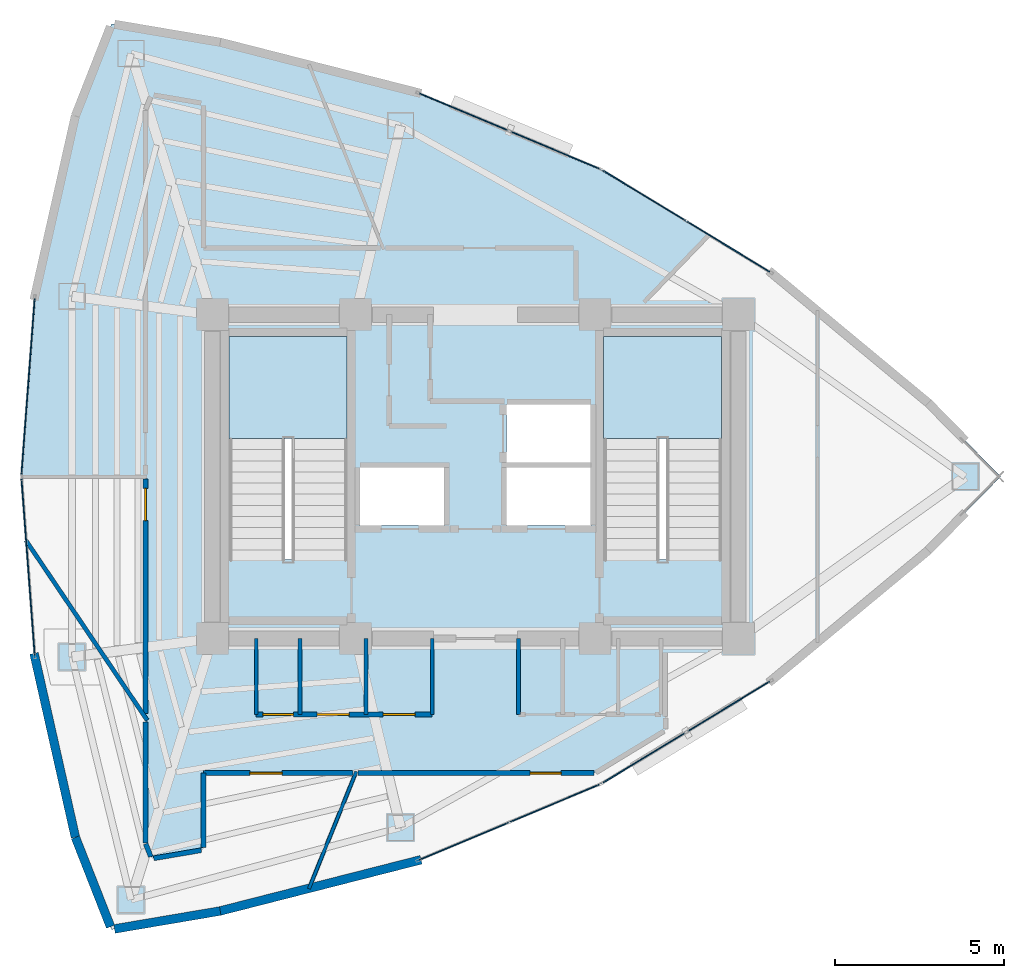
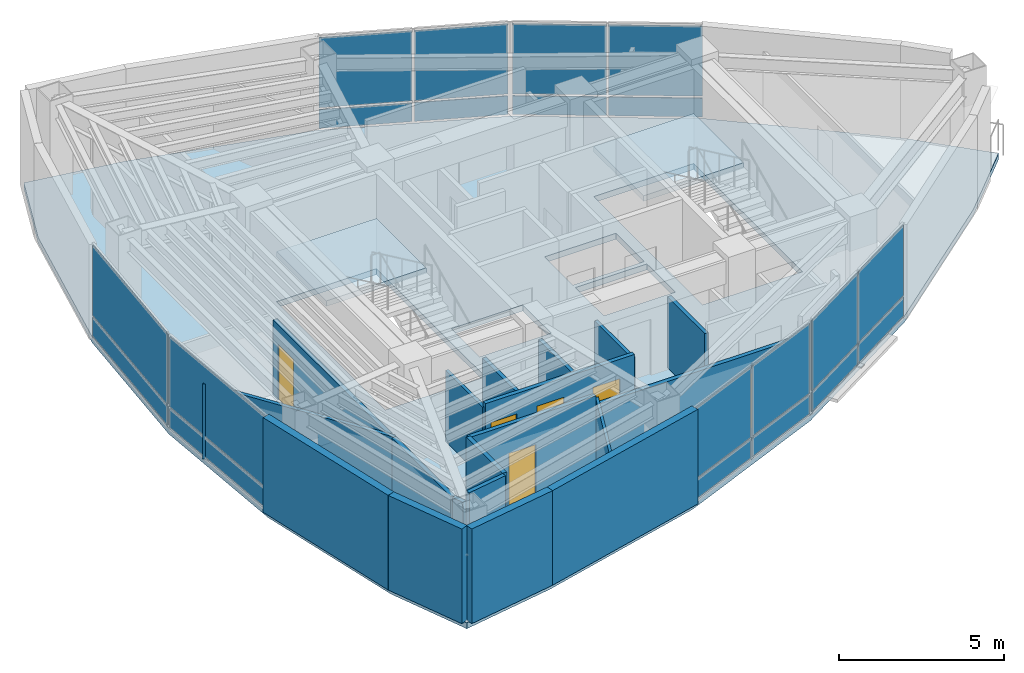
# One storey, part 11 of 15: 20 plates, 19 walls, 6 doors, 3 slabs, 6 openings, 8 elements without a shape of their own.
"""IFC4 building model written with IfcOpenShell, lengths in metres."""

import ifcopenshell
import ifcopenshell.guid

model = None  # the IFC model being written
_history = None  # IfcOwnerHistory: only IFC2X3 demands one
_inside = {}  # id of a spatial element -> (the spatial element, [elements in it])
_under = {}  # id of a project, library or spatial element -> (it, [spatial elements below it])
_declared = {}  # id of a project -> (the project, [libraries it declares])
_typed = {}  # id of a type object -> (the type object, [elements of that type])
_made_of = {}  # id of a material, layer set ... -> (it, [elements and type objects made of it])


def new_model(schema):
    """Start an empty IFC model of exactly this schema.

    Asked for "IFC4X3", IfcOpenShell would pick the latest addendum, in which some entities
    have other attributes; the version numbers below select the first issue.
    IFC2X3 requires an IfcOwnerHistory on every rooted entity: one is made here for all.
    """
    global model, _history
    if schema == "IFC4X3":
        model = ifcopenshell.file(schema_version=(4, 3, 0, 0))
    else:
        model = ifcopenshell.file(schema=schema)
    _inside.clear()
    _under.clear()
    _declared.clear()
    _typed.clear()
    _made_of.clear()
    _history = None
    if model.schema == "IFC2X3":
        org = make("IfcOrganization", Name="unknown")
        user = make(
            "IfcPersonAndOrganization",
            ThePerson=make("IfcPerson", FamilyName="unknown"),
            TheOrganization=org,
        )
        app = make(
            "IfcApplication",
            ApplicationDeveloper=org,
            Version="unknown",
            ApplicationFullName="unknown",
            ApplicationIdentifier="unknown",
        )
        _history = make(
            "IfcOwnerHistory",
            OwningUser=user,
            OwningApplication=app,
            ChangeAction="ADDED",
            CreationDate=0,
        )
    return model


def make(cls, **values):
    """One entity of the class cls with the attributes given. An attribute that is None is left unset."""
    return model.create_entity(
        cls, **{name: value for name, value in values.items() if value is not None}
    )


def rooted(cls, **values):
    """An entity with a GlobalId (a new one), such as an element, a storey or a relation."""
    return make(cls, GlobalId=ifcopenshell.guid.new(), OwnerHistory=_history, **values)


def si_unit(unit_type, name, prefix=None):
    """IfcSIUnit, for example si_unit("LENGTHUNIT", "METRE", prefix="MILLI")."""
    return make("IfcSIUnit", UnitType=unit_type, Prefix=prefix, Name=name)


def assignment(units):
    """IfcUnitAssignment: the units of a project."""
    return None if units is None else make("IfcUnitAssignment", Units=units)


def point(xyz):
    """IfcCartesianPoint."""
    return None if xyz is None else make("IfcCartesianPoint", Coordinates=xyz)


def direction(xyz):
    """IfcDirection."""
    return None if xyz is None else make("IfcDirection", DirectionRatios=xyz)


def frame(location, z_axis=None, x_axis=None):
    """IfcAxis2Placement3D, a coordinate frame: its origin and axes. An axis left out is left unset."""
    return make(
        "IfcAxis2Placement3D",
        Location=point(location),
        Axis=direction(z_axis),
        RefDirection=direction(x_axis),
    )


def frame_2d(location, x_axis=None):
    """IfcAxis2Placement2D, a coordinate frame in the plane: its origin and x axis."""
    return make(
        "IfcAxis2Placement2D", Location=point(location), RefDirection=direction(x_axis)
    )


def origin():
    """The frame at (0, 0, 0) with its axes left unset."""
    return frame((0.0, 0.0, 0.0))


def origin_2d():
    """The frame at (0, 0) in the plane with its x axis left unset."""
    return frame_2d((0.0, 0.0))


def place(relative_to, where):
    """IfcLocalPlacement: puts the frame where relative to a parent placement (None: the world)."""
    return make(
        "IfcLocalPlacement", PlacementRelTo=relative_to, RelativePlacement=where
    )


def context(
    kind, dimensions, precision=None, world=None, true_north=None, identifier=None
):
    """IfcGeometricRepresentationContext, for example the 3D "Model" context."""
    return make(
        "IfcGeometricRepresentationContext",
        ContextIdentifier=identifier,
        ContextType=kind,
        CoordinateSpaceDimension=dimensions,
        Precision=precision,
        WorldCoordinateSystem=world,
        TrueNorth=true_north,
    )


def subcontext(parent, identifier, kind, view, scale=None):
    """IfcGeometricRepresentationSubContext, for example "Body" below "Model"."""
    return make(
        "IfcGeometricRepresentationSubContext",
        ContextIdentifier=identifier,
        ContextType=kind,
        ParentContext=parent,
        TargetScale=scale,
        TargetView=view,
    )


def project(units=None, contexts=None):
    """IfcProject with its units and contexts."""
    return rooted(
        "IfcProject",
        Name="project",
        RepresentationContexts=contexts,
        UnitsInContext=assignment(units),
    )


def spatial(cls, under=None, at=None, **own):
    """A site, building, storey or space (cls), placed at a placement, below another one or the project."""
    s = rooted(cls, ObjectPlacement=at, **own)
    if under is not None:
        _under.setdefault(under.id(), (under, []))[1].append(s)
    return s


def polyline(points):
    """IfcPolyline through the points."""
    return make("IfcPolyline", Points=[point(p) for p in points])


def profile(cls, at=None, kind="AREA", **sizes):
    """A parametric profile (cls). Its sizes go by their IFC names, for example OverallWidth=200.0."""
    return make(cls, ProfileType=kind, Position=at, **sizes)


def rectangle(**sizes):
    """IfcRectangleProfileDef."""
    return profile("IfcRectangleProfileDef", **sizes)


def outline(outer, holes=None, kind="AREA"):
    """IfcArbitraryClosedProfileDef: a profile drawn as a closed curve; with holes, ...WithVoids."""
    if holes is None:
        return make("IfcArbitraryClosedProfileDef", ProfileType=kind, OuterCurve=outer)
    return make(
        "IfcArbitraryProfileDefWithVoids",
        ProfileType=kind,
        OuterCurve=outer,
        InnerCurves=holes,
    )


def extrude(swept, where, along, depth):
    """IfcExtrudedAreaSolid: the profile swept, set in the frame where, extruded along a direction by depth."""
    return make(
        "IfcExtrudedAreaSolid",
        SweptArea=swept,
        Position=where,
        ExtrudedDirection=direction(along),
        Depth=depth,
    )


def shape(context_of_items, identifier, shape_type, items):
    """IfcShapeRepresentation: the items that make up one representation, for example the "Body"."""
    return make(
        "IfcShapeRepresentation",
        ContextOfItems=context_of_items,
        RepresentationIdentifier=identifier,
        RepresentationType=shape_type,
        Items=items,
    )


def material(Name=None, Category=None):
    """IfcMaterial."""
    return make("IfcMaterial", Name=Name, Category=Category)


def layer(
    of_material, thickness, ventilated=None, Name=None, Category=None, Priority=None
):
    """IfcMaterialLayer: one layer of a wall or slab, of a material (None: an air gap)."""
    return make(
        "IfcMaterialLayer",
        Material=of_material,
        LayerThickness=thickness,
        IsVentilated=ventilated,
        Name=Name,
        Category=Category,
        Priority=Priority,
    )


def layer_set(layers, Name=None):
    """IfcMaterialLayerSet."""
    return make("IfcMaterialLayerSet", MaterialLayers=layers, LayerSetName=Name)


def made_of(thing, what):
    """Note that an element or type object is made of a material, layer set ...; save() writes the relation."""
    if what is not None:
        _made_of.setdefault(what.id(), (what, []))[1].append(thing)
    return thing


def type_object(cls, material=None, **own):
    """A type object (cls), such as IfcWallType, which elements share."""
    return made_of(rooted(cls, **own), material)


def element(
    cls,
    number,
    at=None,
    inside=None,
    cuts=None,
    type_object=None,
    material=None,
    context=None,
    identifier="Body",
    shape_type=None,
    held_by="IfcProductDefinitionShape",
    body=None,
    shapes=None,
    **own,
):
    """One element of the class cls, such as IfcWall. Its Tag is "e" and its number.

    at: its placement. inside: the storey or other place that contains it. cuts: it is an
    opening in that element (IfcRelVoidsElement). A single representation is given by context,
    identifier, shape_type and body (its items); several are given by shapes. held_by: the class
    of the entity that holds the representations. save() writes the other relations.
    """
    e = rooted(cls, Tag="e%d" % number, ObjectPlacement=at, **own)
    if body is not None:
        shapes = [shape(context, identifier, shape_type, body)]
    if shapes is not None:
        e.Representation = make(held_by, Representations=shapes)
    if inside is not None:
        _inside.setdefault(inside.id(), (inside, []))[1].append(e)
    if cuts is not None:
        rooted(
            "IfcRelVoidsElement", RelatingBuildingElement=cuts, RelatedOpeningElement=e
        )
    if type_object is not None:
        _typed.setdefault(type_object.id(), (type_object, []))[1].append(e)
    return made_of(e, material)


def fill(opening, filler):
    """IfcRelFillsElement: the door or window that sits in an opening."""
    return rooted(
        "IfcRelFillsElement",
        RelatingOpeningElement=opening,
        RelatedBuildingElement=filler,
    )


def aggregate(whole, parts):
    """IfcRelAggregates: a whole, such as a stair, and the parts it consists of."""
    return rooted("IfcRelAggregates", RelatingObject=whole, RelatedObjects=parts)


def save(model, path):
    """Write the relations noted so far, then the file.

    IfcRelAggregates (storeys below a building ...), IfcRelContainedInSpatialStructure (elements
    in a storey), IfcRelDefinesByType, IfcRelAssociatesMaterial and IfcRelDeclares: one each for
    every whole, place, type object, material and project.
    """
    for whole, parts in _under.values():
        aggregate(whole, parts)
    for where, things in _inside.values():
        rooted(
            "IfcRelContainedInSpatialStructure",
            RelatedElements=things,
            RelatingStructure=where,
        )
    for kind, things in _typed.values():
        rooted("IfcRelDefinesByType", RelatedObjects=things, RelatingType=kind)
    for what, things in _made_of.values():
        rooted("IfcRelAssociatesMaterial", RelatedObjects=things, RelatingMaterial=what)
    for by, libraries in _declared.values():
        rooted("IfcRelDeclares", RelatingContext=by, RelatedDefinitions=libraries)
    model.write(path)


model = new_model("IFC4")

# Units and contexts
model_context = context("Model", 3, precision=1e-05, world=origin(), true_north=direction((0.0, 1.0)))
body_context = subcontext(model_context, "Body", "Model", "MODEL_VIEW")
ifc_project = project(units=[si_unit("LENGTHUNIT", "METRE"), si_unit("AREAUNIT", "SQUARE_METRE"), si_unit("VOLUMEUNIT", "CUBIC_METRE"), si_unit("PLANEANGLEUNIT", "RADIAN"), si_unit("MASSUNIT", "GRAM", prefix="KILO")], contexts=[model_context])

# Site, building, storey
site_placement = place(None, origin())
site = spatial("IfcSite", under=ifc_project, at=site_placement, CompositionType="ELEMENT")
building_placement = place(site_placement, origin())
building = spatial("IfcBuilding", under=site, at=building_placement, Name="Menara Vayukalpa", CompositionType="ELEMENT")
storey_placement = place(building_placement, frame((0.0, 0.0, 269.4599609375)))
storey = spatial("IfcBuildingStorey", under=building, at=storey_placement, Name="L68", CompositionType="ELEMENT", Elevation=269.4599609375)

# Curtain wall, plates
ifc_material_1 = material(Name="Anodised Terracotta Aluminium Alloy 6063-T6", Category="masonry")
ifc_layer_1 = layer(ifc_material_1, 0.1650390625)
ifc_layer_set_1 = layer_set([ifc_layer_1], Name="Anodised Terracotta Aluminium Alloy 6063-T6")
curtain_wall_type = type_object("IfcCurtainWallType", Name="CW-CW6", PredefinedType="USERDEFINED", material=ifc_layer_set_1)
curtain_wall_1_placement = place(storey_placement, origin())
curtain_wall_1 = element("IfcCurtainWall", 1, at=curtain_wall_1_placement, inside=storey, type_object=curtain_wall_type, Name="L68 Observation and Executive Curtain Wall CW6 04", ObjectType="UNITISED", PredefinedType="USERDEFINED")
ifc_material_2 = material(Name="Low-E Double Glazing", Category="glass")
ifc_layer_2 = layer(ifc_material_2, 0.033935546875)
ifc_layer_set_2 = layer_set([ifc_layer_2], Name="Low-E Double Glazing")
plate_type = type_object("IfcPlateType", Name="CWP-CW6", PredefinedType="CURTAIN_PANEL", material=ifc_layer_set_2)
plate_1_placement = place(storey_placement, frame((33.102783203125, 28.814208984375, 0.074951171875), z_axis=(0.0, 0.0, 1.0), x_axis=(-0.854667609532, 0.519175574558, 0.0)))
plate_1 = element("IfcPlate", 2, at=plate_1_placement, type_object=plate_type, Name="CW6 panel 1.1", PredefinedType="CURTAIN_PANEL", context=body_context, shape_type="SweptSolid", body=[
    extrude(rectangle(XDim=2.8486328125, YDim=0.033935546875, at=origin_2d()), origin(), (0.0, 0.0, 1.0), 0.6875),
])
plate_2_placement = place(storey_placement, frame((33.102783203125, 28.814208984375, 0.837646484375), z_axis=(0.0, 0.0, 1.0), x_axis=(-0.854667609532, 0.519175574558, 0.0)))
plate_2 = element("IfcPlate", 3, at=plate_2_placement, type_object=plate_type, Name="CW6 panel 1.2", PredefinedType="CURTAIN_PANEL", context=body_context, shape_type="SweptSolid", body=[
    extrude(rectangle(XDim=2.8486328125, YDim=0.033935546875, at=origin_2d()), origin(), (0.0, 0.0, 1.0), 2.58740234375),
])
plate_3_placement = place(storey_placement, frame((30.608154296875, 30.329345703125, 0.074951171875), z_axis=(0.0, 0.0, 1.0), x_axis=(-0.854667609532, 0.519175574558, 0.0)))
plate_3 = element("IfcPlate", 4, at=plate_3_placement, type_object=plate_type, Name="CW6 panel 2.1", PredefinedType="CURTAIN_PANEL", context=body_context, shape_type="SweptSolid", body=[
    extrude(rectangle(XDim=2.8486328125, YDim=0.033935546875, at=origin_2d()), origin(), (0.0, 0.0, 1.0), 0.6875),
])
plate_4_placement = place(storey_placement, frame((30.608154296875, 30.329345703125, 0.837646484375), z_axis=(0.0, 0.0, 1.0), x_axis=(-0.854667609532, 0.519175574558, 0.0)))
plate_4 = element("IfcPlate", 5, at=plate_4_placement, type_object=plate_type, Name="CW6 panel 2.2", PredefinedType="CURTAIN_PANEL", context=body_context, shape_type="SweptSolid", body=[
    extrude(rectangle(XDim=2.8486328125, YDim=0.033935546875, at=origin_2d()), origin(), (0.0, 0.0, 1.0), 2.58740234375),
])
aggregate(curtain_wall_1, [plate_1, plate_2, plate_3, plate_4])

curtain_wall_2_placement = place(storey_placement, origin())
curtain_wall_2 = element("IfcCurtainWall", 6, at=curtain_wall_2_placement, inside=storey, type_object=curtain_wall_type, Name="L68 Observation and Executive Curtain Wall CW6 05", ObjectType="UNITISED", PredefinedType="USERDEFINED")
plate_5_placement = place(storey_placement, frame((27.952392578125, 31.681884765625, 0.074951171875), z_axis=(0.0, 0.0, 1.0), x_axis=(-0.922540653927, 0.385899911703, 0.0)))
plate_5 = element("IfcPlate", 7, at=plate_5_placement, type_object=plate_type, Name="CW6 panel 1.1", PredefinedType="CURTAIN_PANEL", context=body_context, shape_type="SweptSolid", body=[
    extrude(rectangle(XDim=2.8486328125, YDim=0.033935546875, at=origin_2d()), origin(), (0.0, 0.0, 1.0), 0.6875),
])
plate_6_placement = place(storey_placement, frame((27.952392578125, 31.681884765625, 0.837646484375), z_axis=(0.0, 0.0, 1.0), x_axis=(-0.922540653927, 0.385899911703, 0.0)))
plate_6 = element("IfcPlate", 8, at=plate_6_placement, type_object=plate_type, Name="CW6 panel 1.2", PredefinedType="CURTAIN_PANEL", context=body_context, shape_type="SweptSolid", body=[
    extrude(rectangle(XDim=2.8486328125, YDim=0.033935546875, at=origin_2d()), origin(), (0.0, 0.0, 1.0), 2.58740234375),
])
plate_7_placement = place(storey_placement, frame((25.259765625, 32.808349609375, 0.074951171875), z_axis=(0.0, 0.0, 1.0), x_axis=(-0.922540653927, 0.385899911703, 0.0)))
plate_7 = element("IfcPlate", 9, at=plate_7_placement, type_object=plate_type, Name="CW6 panel 2.1", PredefinedType="CURTAIN_PANEL", context=body_context, shape_type="SweptSolid", body=[
    extrude(rectangle(XDim=2.8486328125, YDim=0.033935546875, at=origin_2d()), origin(), (0.0, 0.0, 1.0), 0.6875),
])
plate_8_placement = place(storey_placement, frame((25.259765625, 32.808349609375, 0.837646484375), z_axis=(0.0, 0.0, 1.0), x_axis=(-0.922540653927, 0.385899911703, 0.0)))
plate_8 = element("IfcPlate", 10, at=plate_8_placement, type_object=plate_type, Name="CW6 panel 2.2", PredefinedType="CURTAIN_PANEL", context=body_context, shape_type="SweptSolid", body=[
    extrude(rectangle(XDim=2.8486328125, YDim=0.033935546875, at=origin_2d()), origin(), (0.0, 0.0, 1.0), 2.58740234375),
])
aggregate(curtain_wall_2, [plate_5, plate_6, plate_7, plate_8])

curtain_wall_3_placement = place(storey_placement, origin())
curtain_wall_3 = element("IfcCurtainWall", 11, at=curtain_wall_3_placement, inside=storey, type_object=curtain_wall_type, Name="L68 Observation and Executive Curtain Wall CW6 10", ObjectType="UNITISED", PredefinedType="USERDEFINED")
plate_9_placement = place(storey_placement, frame((12.33837890625, 24.67333984375, 0.074951171875), z_axis=(0.0, 0.0, 1.0), x_axis=(-0.074789484574, -0.997199344663, 0.0)))
plate_9 = element("IfcPlate", 12, at=plate_9_placement, type_object=plate_type, Name="CW6 panel 1.1", PredefinedType="CURTAIN_PANEL", context=body_context, shape_type="SweptSolid", body=[
    extrude(rectangle(XDim=5.2216796875, YDim=0.033935546875, at=origin_2d()), origin(), (0.0, 0.0, 1.0), 0.6875),
])
plate_10_placement = place(storey_placement, frame((12.33837890625, 24.67333984375, 0.837646484375), z_axis=(0.0, 0.0, 1.0), x_axis=(-0.074789484574, -0.997199344663, 0.0)))
plate_10 = element("IfcPlate", 13, at=plate_10_placement, type_object=plate_type, Name="CW6 panel 1.2", PredefinedType="CURTAIN_PANEL", context=body_context, shape_type="SweptSolid", body=[
    extrude(rectangle(XDim=5.2216796875, YDim=0.033935546875, at=origin_2d()), origin(), (0.0, 0.0, 1.0), 2.58740234375),
])
aggregate(curtain_wall_3, [plate_9, plate_10])

curtain_wall_4_placement = place(storey_placement, origin())
curtain_wall_4 = element("IfcCurtainWall", 14, at=curtain_wall_4_placement, inside=storey, type_object=curtain_wall_type, Name="L68 Observation and Executive Curtain Wall CW6 11", ObjectType="UNITISED", PredefinedType="USERDEFINED")
plate_11_placement = place(storey_placement, frame((12.33837890625, 19.32666015625, 0.074951171875), z_axis=(0.0, 0.0, 1.0), x_axis=(0.074789484574, -0.997199344663, 0.0)))
plate_11 = element("IfcPlate", 15, at=plate_11_placement, type_object=plate_type, Name="CW6 panel 1.1", PredefinedType="CURTAIN_PANEL", context=body_context, shape_type="SweptSolid", body=[
    extrude(rectangle(XDim=5.2216796875, YDim=0.033935546875, at=origin_2d()), origin(), (0.0, 0.0, 1.0), 0.6875),
])
plate_12_placement = place(storey_placement, frame((12.33837890625, 19.32666015625, 0.837646484375), z_axis=(0.0, 0.0, 1.0), x_axis=(0.074789484574, -0.997199344663, 0.0)))
plate_12 = element("IfcPlate", 16, at=plate_12_placement, type_object=plate_type, Name="CW6 panel 1.2", PredefinedType="CURTAIN_PANEL", context=body_context, shape_type="SweptSolid", body=[
    extrude(rectangle(XDim=5.2216796875, YDim=0.033935546875, at=origin_2d()), origin(), (0.0, 0.0, 1.0), 2.58740234375),
])
aggregate(curtain_wall_4, [plate_11, plate_12])

curtain_wall_5_placement = place(storey_placement, origin())
curtain_wall_5 = element("IfcCurtainWall", 17, at=curtain_wall_5_placement, inside=storey, type_object=curtain_wall_type, Name="L68 Observation and Executive Curtain Wall CW6 16", ObjectType="UNITISED", PredefinedType="USERDEFINED")
plate_13_placement = place(storey_placement, frame((25.259765625, 11.191650390625, 0.074951171875), z_axis=(0.0, 0.0, 1.0), x_axis=(0.922540653927, 0.385899911703, 0.0)))
plate_13 = element("IfcPlate", 18, at=plate_13_placement, type_object=plate_type, Name="CW6 panel 1.1", PredefinedType="CURTAIN_PANEL", context=body_context, shape_type="SweptSolid", body=[
    extrude(rectangle(XDim=2.8486328125, YDim=0.033935546875, at=origin_2d()), origin(), (0.0, 0.0, 1.0), 0.6875),
])
plate_14_placement = place(storey_placement, frame((25.259765625, 11.191650390625, 0.837646484375), z_axis=(0.0, 0.0, 1.0), x_axis=(0.922540653927, 0.385899911703, 0.0)))
plate_14 = element("IfcPlate", 19, at=plate_14_placement, type_object=plate_type, Name="CW6 panel 1.2", PredefinedType="CURTAIN_PANEL", context=body_context, shape_type="SweptSolid", body=[
    extrude(rectangle(XDim=2.8486328125, YDim=0.033935546875, at=origin_2d()), origin(), (0.0, 0.0, 1.0), 2.58740234375),
])
plate_15_placement = place(storey_placement, frame((27.952392578125, 12.318115234375, 0.074951171875), z_axis=(0.0, 0.0, 1.0), x_axis=(0.922540653927, 0.385899911703, 0.0)))
plate_15 = element("IfcPlate", 20, at=plate_15_placement, type_object=plate_type, Name="CW6 panel 2.1", PredefinedType="CURTAIN_PANEL", context=body_context, shape_type="SweptSolid", body=[
    extrude(rectangle(XDim=2.8486328125, YDim=0.033935546875, at=origin_2d()), origin(), (0.0, 0.0, 1.0), 0.6875),
])
plate_16_placement = place(storey_placement, frame((27.952392578125, 12.318115234375, 0.837646484375), z_axis=(0.0, 0.0, 1.0), x_axis=(0.922540653927, 0.385899911703, 0.0)))
plate_16 = element("IfcPlate", 21, at=plate_16_placement, type_object=plate_type, Name="CW6 panel 2.2", PredefinedType="CURTAIN_PANEL", context=body_context, shape_type="SweptSolid", body=[
    extrude(rectangle(XDim=2.8486328125, YDim=0.033935546875, at=origin_2d()), origin(), (0.0, 0.0, 1.0), 2.58740234375),
])
aggregate(curtain_wall_5, [plate_13, plate_14, plate_15, plate_16])

curtain_wall_6_placement = place(storey_placement, origin())
curtain_wall_6 = element("IfcCurtainWall", 22, at=curtain_wall_6_placement, inside=storey, type_object=curtain_wall_type, Name="L68 Observation and Executive Curtain Wall CW6 17", ObjectType="UNITISED", PredefinedType="USERDEFINED")
plate_17_placement = place(storey_placement, frame((30.608154296875, 13.670654296875, 0.074951171875), z_axis=(0.0, 0.0, 1.0), x_axis=(0.854667609532, 0.519175574558, 0.0)))
plate_17 = element("IfcPlate", 23, at=plate_17_placement, type_object=plate_type, Name="CW6 panel 1.1", PredefinedType="CURTAIN_PANEL", context=body_context, shape_type="SweptSolid", body=[
    extrude(rectangle(XDim=2.8486328125, YDim=0.033935546875, at=origin_2d()), origin(), (0.0, 0.0, 1.0), 0.6875),
])
plate_18_placement = place(storey_placement, frame((30.608154296875, 13.670654296875, 0.837646484375), z_axis=(0.0, 0.0, 1.0), x_axis=(0.854667609532, 0.519175574558, 0.0)))
plate_18 = element("IfcPlate", 24, at=plate_18_placement, type_object=plate_type, Name="CW6 panel 1.2", PredefinedType="CURTAIN_PANEL", context=body_context, shape_type="SweptSolid", body=[
    extrude(rectangle(XDim=2.8486328125, YDim=0.033935546875, at=origin_2d()), origin(), (0.0, 0.0, 1.0), 2.58740234375),
])
plate_19_placement = place(storey_placement, frame((33.102783203125, 15.185791015625, 0.074951171875), z_axis=(0.0, 0.0, 1.0), x_axis=(0.854667609532, 0.519175574558, 0.0)))
plate_19 = element("IfcPlate", 25, at=plate_19_placement, type_object=plate_type, Name="CW6 panel 2.1", PredefinedType="CURTAIN_PANEL", context=body_context, shape_type="SweptSolid", body=[
    extrude(rectangle(XDim=2.8486328125, YDim=0.033935546875, at=origin_2d()), origin(), (0.0, 0.0, 1.0), 0.6875),
])
plate_20_placement = place(storey_placement, frame((33.102783203125, 15.185791015625, 0.837646484375), z_axis=(0.0, 0.0, 1.0), x_axis=(0.854667609532, 0.519175574558, 0.0)))
plate_20 = element("IfcPlate", 26, at=plate_20_placement, type_object=plate_type, Name="CW6 panel 2.2", PredefinedType="CURTAIN_PANEL", context=body_context, shape_type="SweptSolid", body=[
    extrude(rectangle(XDim=2.8486328125, YDim=0.033935546875, at=origin_2d()), origin(), (0.0, 0.0, 1.0), 2.58740234375),
])
aggregate(curtain_wall_6, [plate_17, plate_18, plate_19, plate_20])

# Slab
ifc_material_3 = material(Name="Concrete C40/50", Category="concrete")
ifc_layer_3 = layer(ifc_material_3, 0.219970703125)
ifc_layer_set_3 = layer_set([ifc_layer_3], Name="Concrete C40/50")
slab_type_1 = type_object("IfcSlabType", Name="SLB-FL220", PredefinedType="FLOOR", material=ifc_layer_set_3)
slab_1_placement = place(storey_placement, frame((0.0, 0.0, -0.219970703125)))
element("IfcSlab", 27, at=slab_1_placement, inside=storey, type_object=slab_type_1, Name="L68 Structural Floor Slab", PredefinedType="FLOOR", context=body_context, shape_type="SweptSolid", body=[
    extrude(outline(polyline([(39.02783203125, 19.816162109375), (41.171875, 22.0), (39.02783203125, 24.183837890625), (34.3798828125, 28.038330078125), (29.3310546875, 31.105224609375), (23.881103515625, 33.385009765625), (18.0302734375, 34.877197265625), (14.814208984375, 35.423095703125), (13.741943359375, 32.693359375), (12.5390625, 27.3466796875), (12.137939453125, 22.0), (12.5390625, 16.6533203125), (13.741943359375, 11.306640625), (14.814208984375, 8.576904296875), (18.0302734375, 9.122802734375), (23.881103515625, 10.614990234375), (29.3310546875, 12.894775390625), (34.3798828125, 15.961669921875), (39.02783203125, 19.816162109375)]), holes=[polyline([(21.800048828125, 19.550048828125), (21.800048828125, 26.14990234375), (18.300048828125, 26.14990234375), (18.300048828125, 19.550048828125), (21.800048828125, 19.550048828125)]), polyline([(32.89990234375, 19.550048828125), (32.89990234375, 26.14990234375), (29.39990234375, 26.14990234375), (29.39990234375, 19.550048828125), (32.89990234375, 19.550048828125)]), polyline([(22.179931640625, 20.550048828125), (24.679931640625, 20.550048828125), (24.679931640625, 22.27001953125), (22.179931640625, 22.27001953125), (22.179931640625, 20.550048828125)]), polyline([(26.52001953125, 20.550048828125), (29.02001953125, 20.550048828125), (29.02001953125, 22.27001953125), (26.52001953125, 22.27001953125), (26.52001953125, 20.550048828125)]), polyline([(26.52001953125, 22.419921875), (29.02001953125, 22.419921875), (29.02001953125, 24.139892578125), (26.52001953125, 24.139892578125), (26.52001953125, 22.419921875)])]), origin(), (0.0, 0.0, 1.0), 0.219970703125),
])

# Stair, slab
ifc_material_4 = material(Name="Precast Concrete C40/50", Category="concrete")
stair_type = type_object("IfcStairType", Name="STR-T04", PredefinedType="DOUBLE_RETURN_STAIR", material=ifc_material_4)
stair_1_placement = place(storey_placement, origin())
stair_1 = element("IfcStair", 28, at=stair_1_placement, inside=storey, type_object=stair_type, Name="L68 Core Exit Stair ST-1", PredefinedType="DOUBLE_RETURN_STAIR")
ifc_material_5 = material(Name="Precast Concrete C40/50", Category="concrete")
ifc_layer_4 = layer(ifc_material_5, 0.199951171875)
ifc_layer_set_4 = layer_set([ifc_layer_4], Name="Precast Concrete C40/50")
slab_type_2 = type_object("IfcSlabType", Name="SLB-LND200", PredefinedType="LANDING", material=ifc_layer_set_4)
slab_2_placement = place(storey_placement, frame((0.0, 0.0, 1.66015625)))
slab_2 = element("IfcSlab", 29, at=slab_2_placement, type_object=slab_type_2, Name="ST-1 landing 1", PredefinedType="LANDING", context=body_context, shape_type="SweptSolid", body=[
    extrude(outline(polyline([(21.800048828125, 23.1298828125), (21.800048828125, 26.14990234375), (18.300048828125, 26.14990234375), (18.300048828125, 23.1298828125), (21.800048828125, 23.1298828125)])), origin(), (0.0, 0.0, 1.0), 0.199951171875),
])
aggregate(stair_1, [slab_2])

stair_2_placement = place(storey_placement, origin())
stair_2 = element("IfcStair", 30, at=stair_2_placement, inside=storey, type_object=stair_type, Name="L68 Core Exit Stair ST-2", PredefinedType="DOUBLE_RETURN_STAIR")
slab_3_placement = place(storey_placement, frame((0.0, 0.0, 1.66015625)))
slab_3 = element("IfcSlab", 31, at=slab_3_placement, type_object=slab_type_2, Name="ST-2 landing 1", PredefinedType="LANDING", context=body_context, shape_type="SweptSolid", body=[
    extrude(outline(polyline([(32.89990234375, 23.1298828125), (32.89990234375, 26.14990234375), (29.39990234375, 26.14990234375), (29.39990234375, 23.1298828125), (32.89990234375, 23.1298828125)])), origin(), (0.0, 0.0, 1.0), 0.199951171875),
])
aggregate(stair_2, [slab_3])

# Walls
ifc_material_6 = material(Name="Insulated Precast Concrete C40/50", Category="concrete")
ifc_layer_5 = layer(ifc_material_6, 0.260009765625)
ifc_layer_set_5 = layer_set([ifc_layer_5], Name="Insulated Precast Concrete C40/50")
wall_type_1 = type_object("IfcWallType", Name="WAL-EXT260", PredefinedType="PARTITIONING", material=ifc_layer_set_5)
wall_1_placement = place(storey_placement, frame((13.741943359375, 11.306640625, 0.0), z_axis=(0.0, 0.0, 1.0), x_axis=(-0.219500763731, 0.97561232809, 0.0)))
element("IfcWall", 32, at=wall_1_placement, inside=storey, type_object=wall_type_1, Name="L68 Perimeter Terracotta Pier Wall 12", PredefinedType="PARTITIONING", context=body_context, shape_type="SweptSolid", body=[
    extrude(rectangle(XDim=5.590087890625, YDim=0.260009765625, at=frame_2d((2.794921875, 0.0))), origin(), (0.0, 0.0, 1.0), 3.5),
])
wall_2_placement = place(storey_placement, frame((14.7822265625, 8.658203125, 0.0), z_axis=(0.0, 0.0, 1.0), x_axis=(-0.36559927932, 0.930772349697, 0.0)))
element("IfcWall", 33, at=wall_2_placement, inside=storey, type_object=wall_type_1, Name="L68 Perimeter Terracotta Pier Wall 13", PredefinedType="PARTITIONING", context=body_context, shape_type="SweptSolid", body=[
    extrude(rectangle(XDim=2.845458984375, YDim=0.260009765625, at=frame_2d((1.4228515625, 0.0))), origin(), (0.0, 0.0, 1.0), 3.5),
])
wall_3_placement = place(storey_placement, frame((18.0361328125, 9.123779296875, 0.0), z_axis=(0.0, 0.0, 1.0), x_axis=(-0.985889432766, -0.167397808709, 0.0)))
element("IfcWall", 34, at=wall_3_placement, inside=storey, type_object=wall_type_1, Name="L68 Perimeter Terracotta Pier Wall 14", PredefinedType="PARTITIONING", context=body_context, shape_type="SweptSolid", body=[
    extrude(rectangle(XDim=3.180908203125, YDim=0.260009765625, at=frame_2d((1.59033203125, 0.0))), origin(), (0.0, 0.0, 1.0), 3.5),
])
wall_4_placement = place(storey_placement, frame((23.98779296875, 10.64208984375, 0.0), z_axis=(0.0, 0.0, 1.0), x_axis=(-0.968988278672, -0.247106689096, 0.0)))
element("IfcWall", 35, at=wall_4_placement, inside=storey, type_object=wall_type_1, Name="L68 Perimeter Terracotta Pier Wall 15", PredefinedType="PARTITIONING", context=body_context, shape_type="SweptSolid", body=[
    extrude(rectangle(XDim=6.154296875, YDim=0.260009765625, at=frame_2d((3.0771484375, 0.0))), origin(), (0.0, 0.0, 1.0), 3.5),
])
ifc_material_7 = material(Name="Glazed Demountable Office Partition", Category="glass")
ifc_layer_6 = layer(ifc_material_7, 0.094970703125)
ifc_layer_set_6 = layer_set([ifc_layer_6], Name="Glazed Demountable Office Partition")
wall_type_2 = type_object("IfcWallType", Name="WAL-PT100", PredefinedType="PARTITIONING", material=ifc_layer_set_6)
wall_5_placement = place(storey_placement, frame((22.06884765625, 13.260009765625, 0.0), z_axis=(0.0, 0.0, 1.0), x_axis=(-0.374599797966, -0.927186600078, 0.0)))
element("IfcWall", 36, at=wall_5_placement, inside=storey, type_object=wall_type_2, Name="L68 Interior Partition IW-L68-RDIV04", PredefinedType="PARTITIONING", context=body_context, shape_type="SweptSolid", body=[
    extrude(rectangle(XDim=3.748779296875, YDim=0.094970703125, at=frame_2d((1.87451171875, 0.0))), origin(), (0.0, 0.0, 1.0), 2.97998046875),
])
ifc_material_8 = material(Name="Acoustic Mineral Stud Partition", Category="masonry")
ifc_layer_7 = layer(ifc_material_8, 0.110107421875)
ifc_layer_set_7 = layer_set([ifc_layer_7], Name="Acoustic Mineral Stud Partition")
wall_type_3 = type_object("IfcWallType", Name="WAL-PT110", PredefinedType="PARTITIONING", material=ifc_layer_set_7)
for number, where, z_axis, x_axis, name in (
    (37, (19.10009765625, 14.949951171875, 0.0), (0.0, 0.0, 1.0), (0.0, 1.0, 0.0), "L68 Interior Partition IW-L68-SVCD-01"),
    (38, (24.320068359375, 14.949951171875, 0.0), (0.0, 0.0, 1.0), (0.0, 1.0, 0.0), "L68 Interior Partition IW-L68-SVCD-04"),
):
    element("IfcWall", number, at=place(storey_placement, frame(where, z_axis=z_axis, x_axis=x_axis)), inside=storey, type_object=wall_type_3, Name=name, PredefinedType="PARTITIONING", context=body_context, shape_type="SweptSolid", body=[
        extrude(rectangle(XDim=2.25, YDim=0.110107421875, at=frame_2d((1.125, 0.0))), origin(), (0.0, 0.0, 1.0), 2.630126953125),
    ])
ifc_material_9 = material(Name="Gypsum Drywall Steel Stud Assembly", Category="steel")
ifc_layer_8 = layer(ifc_material_9, 0.125)
ifc_layer_set_8 = layer_set([ifc_layer_8], Name="Gypsum Drywall Steel Stud Assembly")
wall_type_4 = type_object("IfcWallType", Name="WAL-PT125", PredefinedType="PARTITIONING", material=ifc_layer_set_8)
for number, where, z_axis, x_axis, name in (
    (39, (20.39990234375, 14.949951171875, 0.0), (0.0, 0.0, 1.0), (0.0, 1.0, 0.0), "L68 Interior Partition IW-L68-SVCD-02"),
    (40, (22.360107421875, 14.949951171875, 0.0), (0.0, 0.0, 1.0), (0.0, 1.0, 0.0), "L68 Interior Partition IW-L68-SVCD-03"),
    (41, (26.8798828125, 14.949951171875, 0.0), (0.0, 0.0, 1.0), (0.0, 1.0, 0.0), "L68 Interior Partition IW-L68-SVCD-05"),
):
    element("IfcWall", number, at=place(storey_placement, frame(where, z_axis=z_axis, x_axis=x_axis)), inside=storey, type_object=wall_type_4, Name=name, PredefinedType="PARTITIONING", context=body_context, shape_type="SweptSolid", body=[
        extrude(rectangle(XDim=2.25, YDim=0.125, at=frame_2d((1.125, 0.0))), origin(), (0.0, 0.0, 1.0), 2.630126953125),
    ])
wall_6_placement = place(storey_placement, frame((12.26904296875, 20.118408203125, 0.0), z_axis=(0.0, 0.0, 1.0), x_axis=(0.559206512114, -0.829028393247, 0.0)))
element("IfcWall", 42, at=wall_6_placement, inside=storey, type_object=wall_type_4, Name="L68 Interior Partition IW-L68-RDIV05", PredefinedType="PARTITIONING", context=body_context, shape_type="SweptSolid", body=[
    extrude(rectangle(XDim=6.439697265625, YDim=0.125, at=frame_2d((3.2197265625, 0.0))), origin(), (0.0, 0.0, 1.0), 2.780029296875),
])

# Wall, openings, doors
ifc_material_10 = material(Name="Gypsum Drywall Acoustic Stud Assembly", Category="masonry")
ifc_layer_9 = layer(ifc_material_10, 0.14501953125)
ifc_layer_set_9 = layer_set([ifc_layer_9], Name="Gypsum Drywall Acoustic Stud Assembly")
wall_type_5 = type_object("IfcWallType", Name="WAL-PT150", PredefinedType="PARTITIONING", material=ifc_layer_set_9)
wall_7_placement = place(storey_placement, frame((19.10009765625, 14.949951171875, 0.0), z_axis=(0.0, 0.0, 1.0), x_axis=(1.0, 0.0, 0.0)))
wall_7 = element("IfcWall", 43, at=wall_7_placement, inside=storey, type_object=wall_type_5, Name="L68 Interior Partition IW-L68-SVCS-W", PredefinedType="PARTITIONING", context=body_context, shape_type="SweptSolid", body=[
    extrude(rectangle(XDim=5.219970703125, YDim=0.14501953125, at=frame_2d((2.60986328125, 0.0))), origin(), (0.0, 0.0, 1.0), 2.780029296875),
])
opening_1_placement = place(wall_7_placement, frame((0.199951171875, 0.0, 0.0)))
opening_1 = element("IfcOpeningElement", 44, at=opening_1_placement, cuts=wall_7, Name="Opening ID7", PredefinedType="OPENING", context=body_context, shape_type="SweptSolid", body=[
    extrude(rectangle(XDim=0.89990234375, YDim=2.02001953125, at=frame_2d((0.449951171875, 1.010009765625))), frame((0.0, 0.08251953125, 0.0), z_axis=(0.0, -1.0, 0.0), x_axis=(1.0, 0.0, 0.0)), (0.0, 0.0, 1.0), 0.1650390625),
])
opening_2_placement = place(wall_7_placement, frame((1.804931640625, 0.0, 0.0)))
opening_2 = element("IfcOpeningElement", 45, at=opening_2_placement, cuts=wall_7, Name="Opening ID5", PredefinedType="OPENING", context=body_context, shape_type="SweptSolid", body=[
    extrude(rectangle(XDim=0.949951171875, YDim=2.06005859375, at=frame_2d((0.47509765625, 1.030029296875))), frame((0.0, 0.08251953125, 0.0), z_axis=(0.0, -1.0, 0.0), x_axis=(1.0, 0.0, 0.0)), (0.0, 0.0, 1.0), 0.1650390625),
])
opening_3_placement = place(wall_7_placement, frame((3.764892578125, 0.0, 0.0)))
opening_3 = element("IfcOpeningElement", 46, at=opening_3_placement, cuts=wall_7, Name="Opening ID5", PredefinedType="OPENING", context=body_context, shape_type="SweptSolid", body=[
    extrude(rectangle(XDim=0.949951171875, YDim=2.06005859375, at=frame_2d((0.47509765625, 1.030029296875))), frame((0.0, 0.08251953125, 0.0), z_axis=(0.0, -1.0, 0.0), x_axis=(1.0, 0.0, 0.0)), (0.0, 0.0, 1.0), 0.1650390625),
])
ifc_material_11 = material(Name="Acoustic Hardwood Veneer Timber Door", Category="wood")
door_type_1 = type_object("IfcDoorType", Name="DR-INT95", OperationType="NOTDEFINED", PredefinedType="DOOR", material=ifc_material_11)
door_1_placement = place(opening_2_placement, origin())
door_1 = element("IfcDoor", 47, at=door_1_placement, inside=storey, type_object=door_type_1, Name="L68 Interior Door DR-L68-AWC", OperationType="SINGLE_SWING_LEFT", OverallHeight=2.06005859375, OverallWidth=0.949951171875, PredefinedType="DOOR", context=body_context, shape_type="SweptSolid", body=[
    extrude(rectangle(XDim=0.949951171875, YDim=2.06005859375, at=frame_2d((0.47509765625, 1.030029296875))), frame((0.0, 0.02490234375, 0.0), z_axis=(0.0, -1.0, 0.0), x_axis=(1.0, 0.0, 0.0)), (0.0, 0.0, 1.0), 0.050048828125),
])
fill(opening_2, door_1)
door_2_placement = place(opening_3_placement, origin())
door_2 = element("IfcDoor", 48, at=door_2_placement, inside=storey, type_object=door_type_1, Name="L68 Interior Door DR-L68-SWC", OperationType="SINGLE_SWING_RIGHT", OverallHeight=2.06005859375, OverallWidth=0.949951171875, PredefinedType="DOOR", context=body_context, shape_type="SweptSolid", body=[
    extrude(rectangle(XDim=0.949951171875, YDim=2.06005859375, at=frame_2d((0.47509765625, 1.030029296875))), frame((0.0, 0.02490234375, 0.0), z_axis=(0.0, -1.0, 0.0), x_axis=(1.0, 0.0, 0.0)), (0.0, 0.0, 1.0), 0.050048828125),
])
fill(opening_3, door_2)
ifc_material_12 = material(Name="Powder-Coated Steel Riser Access Door", Category="steel")
door_type_2 = type_object("IfcDoorType", Name="DR-RISER", OperationType="NOTDEFINED", PredefinedType="DOOR", material=ifc_material_12)
door_3_placement = place(opening_1_placement, origin())
door_3 = element("IfcDoor", 49, at=door_3_placement, inside=storey, type_object=door_type_2, Name="L68 Interior Door DR-L68-ELR", OperationType="SINGLE_SWING_RIGHT", OverallHeight=2.02001953125, OverallWidth=0.89990234375, PredefinedType="DOOR", context=body_context, shape_type="SweptSolid", body=[
    extrude(rectangle(XDim=0.89990234375, YDim=2.02001953125, at=frame_2d((0.449951171875, 1.010009765625))), frame((0.0, 0.02490234375, 0.0), z_axis=(0.0, -1.0, 0.0), x_axis=(1.0, 0.0, 0.0)), (0.0, 0.0, 1.0), 0.050048828125),
])
fill(opening_1, door_3)

# Wall, opening, door
wall_8_placement = place(storey_placement, frame((15.820068359375, 21.929931640625, 0.0), z_axis=(0.0, 0.0, 1.0), x_axis=(0.0, -1.0, 0.0)))
wall_8 = element("IfcWall", 50, at=wall_8_placement, inside=storey, type_object=wall_type_5, Name="L68 Interior Partition IW-L68-CRM01-1", PredefinedType="PARTITIONING", context=body_context, shape_type="SweptSolid", body=[
    extrude(rectangle(XDim=6.95068359375, YDim=0.14501953125, at=frame_2d((3.475341796875, 0.0))), origin(), (0.0, 0.0, 1.0), 2.780029296875),
])
opening_4_placement = place(wall_8_placement, frame((0.280029296875, 0.0, 0.0)))
opening_4 = element("IfcOpeningElement", 51, at=opening_4_placement, cuts=wall_8, Name="Opening ID5", PredefinedType="OPENING", context=body_context, shape_type="SweptSolid", body=[
    extrude(rectangle(XDim=0.949951171875, YDim=2.06005859375, at=frame_2d((0.47509765625, 1.030029296875))), frame((0.0, 0.08251953125, 0.0), z_axis=(0.0, -1.0, 0.0), x_axis=(1.0, 0.0, 0.0)), (0.0, 0.0, 1.0), 0.1650390625),
])
door_4_placement = place(opening_4_placement, origin())
door_4 = element("IfcDoor", 52, at=door_4_placement, inside=storey, type_object=door_type_1, Name="L68 Interior Door DR-L68-RM01", OperationType="SINGLE_SWING_RIGHT", OverallHeight=2.06005859375, OverallWidth=0.949951171875, PredefinedType="DOOR", context=body_context, shape_type="SweptSolid", body=[
    extrude(rectangle(XDim=0.949951171875, YDim=2.06005859375, at=frame_2d((0.47509765625, 1.030029296875))), frame((0.0, 0.02490234375, 0.0), z_axis=(0.0, -1.0, 0.0), x_axis=(1.0, 0.0, 0.0)), (0.0, 0.0, 1.0), 0.050048828125),
])
fill(opening_4, door_4)

# Walls
wall_9_placement = place(storey_placement, frame((15.820068359375, 14.73095703125, 0.0), z_axis=(0.0, 0.0, 1.0), x_axis=(0.0, -1.0, 0.0)))
element("IfcWall", 53, at=wall_9_placement, inside=storey, type_object=wall_type_5, Name="L68 Interior Partition IW-L68-CRM03-1", PredefinedType="PARTITIONING", context=body_context, shape_type="SweptSolid", body=[
    extrude(rectangle(XDim=3.584716796875, YDim=0.14501953125, at=frame_2d((1.79248046875, 0.0))), origin(), (0.0, 0.0, 1.0), 2.780029296875),
])
wall_10_placement = place(storey_placement, frame((15.825439453125, 11.116943359375, 0.0), z_axis=(0.0, 0.0, 1.0), x_axis=(0.365633948196, -0.930758731319, 0.0)))
element("IfcWall", 54, at=wall_10_placement, inside=storey, type_object=wall_type_5, Name="L68 Interior Partition IW-L68-CRM03-2", PredefinedType="PARTITIONING", context=body_context, shape_type="SweptSolid", body=[
    extrude(rectangle(XDim=0.409912109375, YDim=0.14501953125, at=frame_2d((0.205078125, 0.0))), origin(), (0.0, 0.0, 1.0), 2.780029296875),
])
wall_11_placement = place(storey_placement, frame((16.063232421875, 10.685546875, 0.0), z_axis=(0.0, 0.0, 1.0), x_axis=(0.985881780308, 0.167442871621, 0.0)))
element("IfcWall", 55, at=wall_11_placement, inside=storey, type_object=wall_type_5, Name="L68 Interior Partition IW-L68-CRM03-3", PredefinedType="PARTITIONING", context=body_context, shape_type="SweptSolid", body=[
    extrude(rectangle(XDim=1.430419921875, YDim=0.14501953125, at=frame_2d((0.71533203125, 0.0))), origin(), (0.0, 0.0, 1.0), 3.130126953125),
])
wall_12_placement = place(storey_placement, frame((17.5400390625, 11.00390625, 0.0), z_axis=(0.0, 0.0, 1.0), x_axis=(0.0, 1.0, 0.0)))
element("IfcWall", 56, at=wall_12_placement, inside=storey, type_object=wall_type_5, Name="L68 Interior Partition IW-L68-CRM03-4", PredefinedType="PARTITIONING", context=body_context, shape_type="SweptSolid", body=[
    extrude(rectangle(XDim=2.2060546875, YDim=0.14501953125, at=frame_2d((1.10302734375, 0.0))), origin(), (0.0, 0.0, 1.0), 3.130126953125),
])

# Wall, opening, door
wall_13_placement = place(storey_placement, frame((17.5400390625, 13.2099609375, 0.0), z_axis=(0.0, 0.0, 1.0), x_axis=(1.0, 0.0, 0.0)))
wall_13 = element("IfcWall", 57, at=wall_13_placement, inside=storey, type_object=wall_type_5, Name="L68 Interior Partition IW-L68-CRM03-5", PredefinedType="PARTITIONING", context=body_context, shape_type="SweptSolid", body=[
    extrude(rectangle(XDim=4.43310546875, YDim=0.14501953125, at=frame_2d((2.216552734375, 0.0))), origin(), (0.0, 0.0, 1.0), 3.130126953125),
])
opening_5_placement = place(wall_13_placement, frame((1.376220703125, 0.0, 0.0)))
opening_5 = element("IfcOpeningElement", 58, at=opening_5_placement, cuts=wall_13, Name="Opening ID5", PredefinedType="OPENING", context=body_context, shape_type="SweptSolid", body=[
    extrude(rectangle(XDim=0.949951171875, YDim=2.06005859375, at=frame_2d((0.47509765625, 1.030029296875))), frame((0.0, 0.08251953125, 0.0), z_axis=(0.0, -1.0, 0.0), x_axis=(1.0, 0.0, 0.0)), (0.0, 0.0, 1.0), 0.1650390625),
])
door_5_placement = place(opening_5_placement, origin())
door_5 = element("IfcDoor", 59, at=door_5_placement, inside=storey, type_object=door_type_1, Name="L68 Interior Door DR-L68-RM03", OperationType="SINGLE_SWING_LEFT", OverallHeight=2.06005859375, OverallWidth=0.949951171875, PredefinedType="DOOR", context=body_context, shape_type="SweptSolid", body=[
    extrude(rectangle(XDim=0.949951171875, YDim=2.06005859375, at=frame_2d((0.47509765625, 1.030029296875))), frame((0.0, 0.02490234375, 0.0), z_axis=(0.0, -1.0, 0.0), x_axis=(1.0, 0.0, 0.0)), (0.0, 0.0, 1.0), 0.050048828125),
])
fill(opening_5, door_5)

wall_14_placement = place(storey_placement, frame((22.1240234375, 13.2099609375, 0.0), z_axis=(0.0, 0.0, 1.0), x_axis=(1.0, 0.0, 0.0)))
wall_14 = element("IfcWall", 60, at=wall_14_placement, inside=storey, type_object=wall_type_5, Name="L68 Interior Partition IW-L68-CRM04-1", PredefinedType="PARTITIONING", context=body_context, shape_type="SweptSolid", body=[
    extrude(rectangle(XDim=6.98583984375, YDim=0.14501953125, at=frame_2d((3.492919921875, 0.0))), origin(), (0.0, 0.0, 1.0), 2.780029296875),
])
opening_6_placement = place(wall_14_placement, frame((5.09765625, 0.0, 0.0)))
opening_6 = element("IfcOpeningElement", 61, at=opening_6_placement, cuts=wall_14, Name="Opening ID6", PredefinedType="OPENING", context=body_context, shape_type="SweptSolid", body=[
    extrude(rectangle(XDim=0.919921875, YDim=2.050048828125, at=frame_2d((0.4599609375, 1.02490234375))), frame((0.0, 0.08251953125, 0.0), z_axis=(0.0, -1.0, 0.0), x_axis=(1.0, 0.0, 0.0)), (0.0, 0.0, 1.0), 0.1650390625),
])
ifc_material_13 = material(Name="Acoustic Hardwood Veneer Timber Door", Category="wood")
door_type_3 = type_object("IfcDoorType", Name="DR-INT92", OperationType="NOTDEFINED", PredefinedType="DOOR", material=ifc_material_13)
door_6_placement = place(opening_6_placement, origin())
door_6 = element("IfcDoor", 62, at=door_6_placement, inside=storey, type_object=door_type_3, Name="L68 Interior Door DR-L68-RM04", OperationType="SINGLE_SWING_RIGHT", OverallHeight=2.050048828125, OverallWidth=0.919921875, PredefinedType="DOOR", context=body_context, shape_type="SweptSolid", body=[
    extrude(rectangle(XDim=0.919921875, YDim=2.050048828125, at=frame_2d((0.4599609375, 1.02490234375))), frame((0.0, 0.02490234375, 0.0), z_axis=(0.0, -1.0, 0.0), x_axis=(1.0, 0.0, 0.0)), (0.0, 0.0, 1.0), 0.050048828125),
])
fill(opening_6, door_6)

save(model, "model.ifc")
